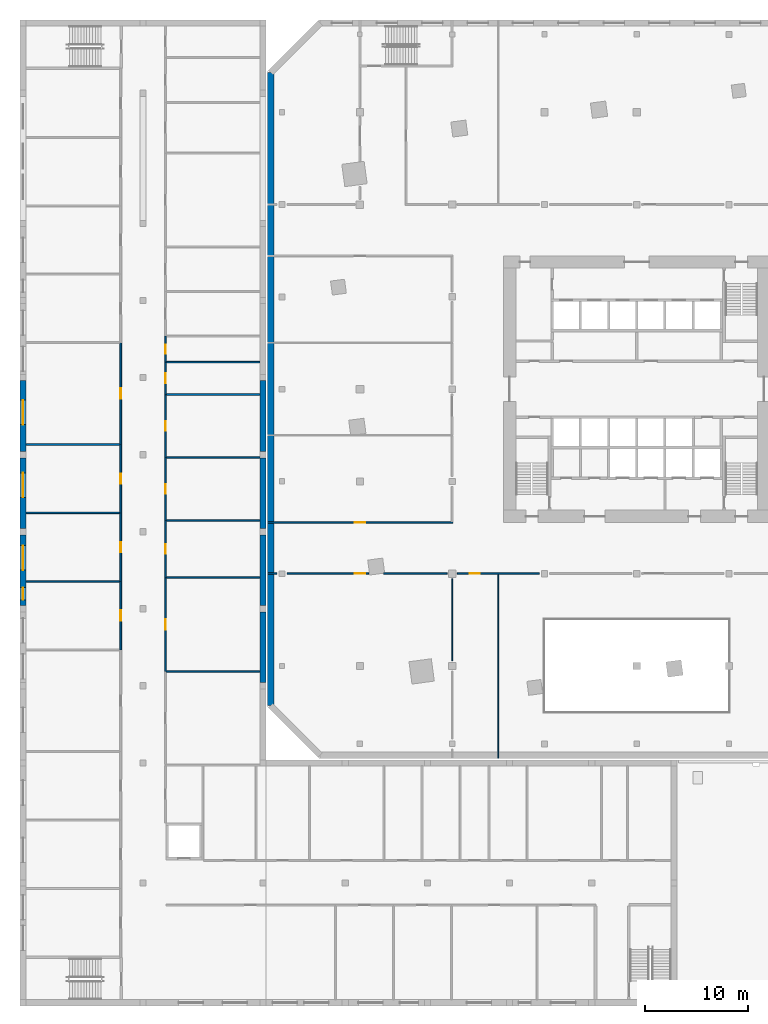
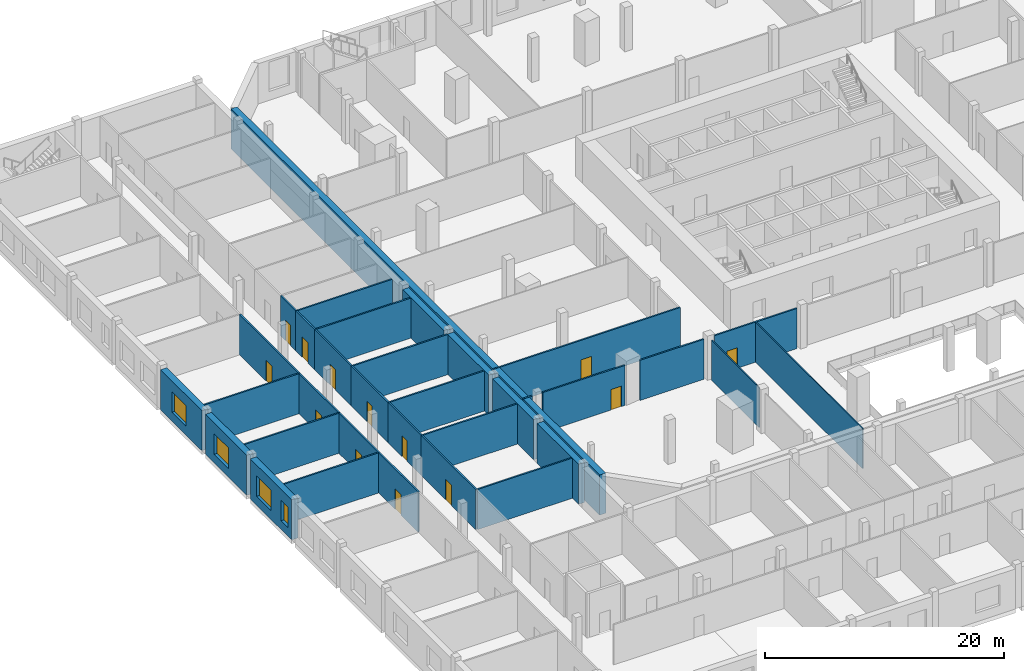
# One storey, part 6 of 20: 34 walls, 13 doors, 4 windows, 17 openings.
"""IFC4 building model written with IfcOpenShell, lengths in metres."""

from ifc_helpers import new_model, si_unit, direction, frame, frame_2d, origin, place, context, subcontext, project, spatial, rectangle, extrude, material, layer, layer_set, type_object, element, fill, save


model = new_model("IFC4")

# Units and contexts
model_context = context("Model", 3, precision=1e-05, world=origin(), true_north=direction((0.0, 1.0)))
body_context = subcontext(model_context, "Body", "Model", "MODEL_VIEW")
ifc_project = project(units=[si_unit("LENGTHUNIT", "METRE"), si_unit("AREAUNIT", "SQUARE_METRE"), si_unit("VOLUMEUNIT", "CUBIC_METRE"), si_unit("PLANEANGLEUNIT", "RADIAN"), si_unit("MASSUNIT", "GRAM", prefix="KILO")], contexts=[model_context])

# Site, building, storey
site_placement = place(None, origin())
site = spatial("IfcSite", under=ifc_project, at=site_placement, CompositionType="ELEMENT")
building_placement = place(site_placement, origin())
building = spatial("IfcBuilding", under=site, at=building_placement, Name="Dilmun Exchange Tower", CompositionType="ELEMENT")
storey_placement = place(building_placement, frame((0.0, 0.0, 9.0)))
storey = spatial("IfcBuildingStorey", under=building, at=storey_placement, Name="L02", CompositionType="ELEMENT", Elevation=9.0)

# Wall
ifc_material_1 = material(Name="Fire partition EI 60 150 gypsum")
ifc_layer_1 = layer(ifc_material_1, 0.14990234375)
ifc_layer_set_1 = layer_set([ifc_layer_1], Name="Fire partition EI 60 150 gypsum")
wall_type_1 = type_object("IfcWallType", Name="Fire partition EI 60 150 gypsum", PredefinedType="PARTITIONING", material=ifc_layer_set_1)
wall_1_placement = place(storey_placement, frame((-36.0, -18.0, 0.0), z_axis=(0.0, 0.0, 1.0), x_axis=(1.0, 0.0, 0.0)))
element("IfcWall", 1, at=wall_1_placement, inside=storey, type_object=wall_type_1, Name="L02 partition", PredefinedType="PARTITIONING", context=body_context, shape_type="SweptSolid", body=[
    extrude(rectangle(XDim=0.89990234375, YDim=0.14990234375, at=frame_2d((0.449951171875, 0.0))), origin(), (0.0, 0.0, 1.0), 4.10009765625),
])

# Wall, opening, door
wall_2_placement = place(storey_placement, frame((-34.10009765625, -18.0, 0.0), z_axis=(0.0, 0.0, 1.0), x_axis=(1.0, 0.0, 0.0)))
wall_2 = element("IfcWall", 2, at=wall_2_placement, inside=storey, type_object=wall_type_1, Name="L02 partition", PredefinedType="PARTITIONING", context=body_context, shape_type="SweptSolid", body=[
    extrude(rectangle(XDim=7.956787109375, YDim=0.14990234375, at=frame_2d((3.978515625, 0.0))), origin(), (0.0, 0.0, 1.0), 4.10009765625),
])
opening_1_placement = place(wall_2_placement, frame((6.60009765625, 0.0, 0.0)))
opening_1 = element("IfcOpeningElement", 3, at=opening_1_placement, cuts=wall_2, Name="Opening L02-D012", PredefinedType="OPENING", context=body_context, shape_type="SweptSolid", body=[
    extrude(rectangle(XDim=1.0, YDim=2.10009765625, at=frame_2d((0.5, 1.050048828125))), frame((0.0, 0.0849609375, 0.0), z_axis=(0.0, -1.0, 0.0), x_axis=(1.0, 0.0, 0.0)), (0.0, 0.0, 1.0), 0.169921875),
])
ifc_material_2 = material(Name="Fire door FD60 1000 x 2100")
door_type_1 = type_object("IfcDoorType", Name="Fire door FD60 1000 x 2100", OperationType="SINGLE_SWING_LEFT", PredefinedType="DOOR", material=ifc_material_2)
door_1_placement = place(opening_1_placement, origin())
door_1 = element("IfcDoor", 4, at=door_1_placement, inside=storey, type_object=door_type_1, Name="L02 door L02-D012", OperationType="SINGLE_SWING_RIGHT", OverallHeight=2.10009765625, OverallWidth=1.0, PredefinedType="DOOR", context=body_context, shape_type="SweptSolid", body=[
    extrude(rectangle(XDim=1.0, YDim=2.10009765625, at=frame_2d((0.5, 1.050048828125))), frame((0.0, 0.02490234375, 0.0), z_axis=(0.0, -1.0, 0.0), x_axis=(1.0, 0.0, 0.0)), (0.0, 0.0, 1.0), 0.050048828125),
])
fill(opening_1, door_1)

# Wall
wall_3_placement = place(storey_placement, frame((-24.680908203125, -18.0, 0.0), z_axis=(0.0, 0.0, 1.0), x_axis=(1.0, 0.0, 0.0)))
element("IfcWall", 5, at=wall_3_placement, inside=storey, type_object=wall_type_1, Name="L02 partition", PredefinedType="PARTITIONING", context=body_context, shape_type="SweptSolid", body=[
    extrude(rectangle(XDim=6.180908203125, YDim=0.14990234375, at=frame_2d((3.09033203125, 0.0))), origin(), (0.0, 0.0, 1.0), 4.10009765625),
])

# Wall, opening, door
wall_4_placement = place(storey_placement, frame((-17.5, -18.0, 0.0), z_axis=(0.0, 0.0, 1.0), x_axis=(1.0, 0.0, 0.0)))
wall_4 = element("IfcWall", 6, at=wall_4_placement, inside=storey, type_object=wall_type_1, Name="L02 partition", PredefinedType="PARTITIONING", context=body_context, shape_type="SweptSolid", body=[
    extrude(rectangle(XDim=8.0, YDim=0.14990234375, at=frame_2d((4.0, 0.0))), origin(), (0.0, 0.0, 1.0), 4.10009765625),
])
opening_2_placement = place(wall_4_placement, frame((1.199951171875, 0.0, 0.0)))
opening_2 = element("IfcOpeningElement", 7, at=opening_2_placement, cuts=wall_4, Name="Opening L02-D013", PredefinedType="OPENING", context=body_context, shape_type="SweptSolid", body=[
    extrude(rectangle(XDim=1.0, YDim=2.10009765625, at=frame_2d((0.5, 1.050048828125))), frame((0.0, 0.0849609375, 0.0), z_axis=(0.0, -1.0, 0.0), x_axis=(1.0, 0.0, 0.0)), (0.0, 0.0, 1.0), 0.169921875),
])
door_2_placement = place(opening_2_placement, origin())
door_2 = element("IfcDoor", 8, at=door_2_placement, inside=storey, type_object=door_type_1, Name="L02 door L02-D013", OperationType="SINGLE_SWING_LEFT", OverallHeight=2.10009765625, OverallWidth=1.0, PredefinedType="DOOR", context=body_context, shape_type="SweptSolid", body=[
    extrude(rectangle(XDim=1.0, YDim=2.10009765625, at=frame_2d((0.5, 1.050048828125))), frame((0.0, 0.02490234375, 0.0), z_axis=(0.0, -1.0, 0.0), x_axis=(1.0, 0.0, 0.0)), (0.0, 0.0, 1.0), 0.050048828125),
])
fill(opening_2, door_2)

wall_5_placement = place(storey_placement, frame((-36.0, -13.0, 0.0), z_axis=(0.0, 0.0, 1.0), x_axis=(1.0, 0.0, 0.0)))
wall_5 = element("IfcWall", 9, at=wall_5_placement, inside=storey, type_object=wall_type_1, Name="L02 partition", PredefinedType="PARTITIONING", context=body_context, shape_type="SweptSolid", body=[
    extrude(rectangle(XDim=18.074951171875, YDim=0.14990234375, at=frame_2d((9.03759765625, 0.0))), origin(), (0.0, 0.0, 1.0), 4.10009765625),
])
opening_3_placement = place(wall_5_placement, frame((8.5, 0.0, 0.0)))
opening_3 = element("IfcOpeningElement", 10, at=opening_3_placement, cuts=wall_5, Name="Opening L02-D017", PredefinedType="OPENING", context=body_context, shape_type="SweptSolid", body=[
    extrude(rectangle(XDim=1.0, YDim=2.10009765625, at=frame_2d((0.5, 1.050048828125))), frame((0.0, 0.0849609375, 0.0), z_axis=(0.0, -1.0, 0.0), x_axis=(1.0, 0.0, 0.0)), (0.0, 0.0, 1.0), 0.169921875),
])
door_3_placement = place(opening_3_placement, origin())
door_3 = element("IfcDoor", 11, at=door_3_placement, inside=storey, type_object=door_type_1, Name="L02 door L02-D017", OperationType="SINGLE_SWING_LEFT", OverallHeight=2.10009765625, OverallWidth=1.0, PredefinedType="DOOR", context=body_context, shape_type="SweptSolid", body=[
    extrude(rectangle(XDim=1.0, YDim=2.10009765625, at=frame_2d((0.5, 1.050048828125))), frame((0.0, 0.02490234375, 0.0), z_axis=(0.0, -1.0, 0.0), x_axis=(1.0, 0.0, 0.0)), (0.0, 0.0, 1.0), 0.050048828125),
])
fill(opening_3, door_3)

# Walls
ifc_material_3 = material(Name="Partition 100 gypsum")
ifc_layer_2 = layer(ifc_material_3, 0.10009765625)
ifc_layer_set_2 = layer_set([ifc_layer_2], Name="Partition 100 gypsum")
wall_type_2 = type_object("IfcWallType", Name="Partition 100 gypsum", PredefinedType="PARTITIONING", material=ifc_layer_set_2)
wall_6_placement = place(storey_placement, frame((-18.0, -26.5, 0.0), z_axis=(0.0, 0.0, 1.0), x_axis=(0.0, 1.0, 0.0)))
element("IfcWall", 12, at=wall_6_placement, inside=storey, type_object=wall_type_2, Name="L02 partition", PredefinedType="PARTITIONING", context=body_context, shape_type="SweptSolid", body=[
    extrude(rectangle(XDim=8.0, YDim=0.10009765625, at=frame_2d((4.0, 0.0))), origin(), (0.0, 0.0, 1.0), 4.10009765625),
])
wall_7_placement = place(storey_placement, frame((-13.5, -36.0, 0.0), z_axis=(0.0, 0.0, 1.0), x_axis=(0.0, 1.0, 0.0)))
element("IfcWall", 13, at=wall_7_placement, inside=storey, type_object=wall_type_2, Name="L02 partition", PredefinedType="PARTITIONING", context=body_context, shape_type="SweptSolid", body=[
    extrude(rectangle(XDim=17.925048828125, YDim=0.10009765625, at=frame_2d((8.96240234375, 0.0))), origin(), (0.0, 0.0, 1.0), 4.10009765625),
])
ifc_material_4 = material(Name="Precast concrete C50/60", Category="concrete")
ifc_layer_3 = layer(ifc_material_4, 0.60009765625)
ifc_layer_set_3 = layer_set([ifc_layer_3], Name="Precast concrete C50/60")
wall_type_3 = type_object("IfcWallType", Name="Precast stone-clad wall 600", PredefinedType="STANDARD", material=ifc_layer_set_3)
wall_8_placement = place(storey_placement, frame((-35.699951171875, 30.875732421875, 0.0), z_axis=(0.0, 0.0, 1.0), x_axis=(0.0, -1.0, 0.0)))
element("IfcWall", 14, at=wall_8_placement, inside=storey, type_object=wall_type_3, Name="Facade wall L02-06-0", PredefinedType="STANDARD", context=body_context, shape_type="SweptSolid", body=[
    extrude(rectangle(XDim=61.75146484375, YDim=0.60009765625, at=frame_2d((30.875732421875, 0.0))), origin(), (0.0, 0.0, 1.0), 4.10009765625),
])

# Wall, openings, windows
ifc_material_5 = material(Name="Precast concrete C40/50", Category="concrete")
ifc_layer_4 = layer(ifc_material_5, 0.60009765625)
ifc_layer_set_4 = layer_set([ifc_layer_4], Name="Precast concrete C40/50")
wall_type_4 = type_object("IfcWallType", Name="School external wall 600 precast C40/50", PredefinedType="STANDARD", material=ifc_layer_set_4)
wall_9_placement = place(storey_placement, frame((-59.85009765625, -21.121337890625, 0.0), z_axis=(0.0, 0.0, 1.0), x_axis=(0.0, 1.0, 0.0)))
wall_9 = element("IfcWall", 15, at=wall_9_placement, inside=storey, type_object=wall_type_4, Name="School external wall", PredefinedType="STANDARD", context=body_context, shape_type="SweptSolid", body=[
    extrude(rectangle(XDim=6.914306640625, YDim=0.60009765625, at=frame_2d((3.45703125, 0.0))), origin(), (0.0, 0.0, 1.0), 4.10009765625),
])
opening_4_placement = place(wall_9_placement, frame((0.564208984375, 0.0, 0.89990234375)))
opening_4 = element("IfcOpeningElement", 16, at=opening_4_placement, cuts=wall_9, Name="Opening SCH-W12", PredefinedType="OPENING", context=body_context, shape_type="SweptSolid", body=[
    extrude(rectangle(XDim=1.199951171875, YDim=2.10009765625, at=frame_2d((0.60009765625, 1.050048828125))), frame((0.0, 0.31005859375, 0.0), z_axis=(0.0, -1.0, 0.0), x_axis=(1.0, 0.0, 0.0)), (0.0, 0.0, 1.0), 0.6201171875),
])
opening_5_placement = place(wall_9_placement, frame((3.46630859375, 0.0, 0.89990234375)))
opening_5 = element("IfcOpeningElement", 17, at=opening_5_placement, cuts=wall_9, Name="Opening SCH-W24", PredefinedType="OPENING", context=body_context, shape_type="SweptSolid", body=[
    extrude(rectangle(XDim=2.39990234375, YDim=2.10009765625, at=frame_2d((1.199951171875, 1.050048828125))), frame((0.0, 0.31005859375, 0.0), z_axis=(0.0, -1.0, 0.0), x_axis=(1.0, 0.0, 0.0)), (0.0, 0.0, 1.0), 0.6201171875),
])
ifc_material_6 = material(Name="Clear low-emissivity glass in aluminium frame", Category="aluminium")
window_type_1 = type_object("IfcWindowType", Name="School window 1200 x 2100", PartitioningType="DOUBLE_PANEL_VERTICAL", PredefinedType="WINDOW", material=ifc_material_6)
window_1_placement = place(opening_4_placement, origin())
window_1 = element("IfcWindow", 18, at=window_1_placement, inside=storey, type_object=window_type_1, Name="School window", OverallHeight=2.10009765625, OverallWidth=1.199951171875, PartitioningType="SINGLE_PANEL", PredefinedType="WINDOW", context=body_context, shape_type="SweptSolid", body=[
    extrude(rectangle(XDim=1.199951171875, YDim=2.10009765625, at=frame_2d((0.60009765625, 1.050048828125))), frame((0.0, 0.030029296875, 0.0), z_axis=(0.0, -1.0, 0.0), x_axis=(1.0, 0.0, 0.0)), (0.0, 0.0, 1.0), 0.06005859375),
])
fill(opening_4, window_1)
window_type_2 = type_object("IfcWindowType", Name="School window 2400 x 2100", PartitioningType="DOUBLE_PANEL_VERTICAL", PredefinedType="WINDOW", material=ifc_material_6)
window_2_placement = place(opening_5_placement, origin())
window_2 = element("IfcWindow", 19, at=window_2_placement, inside=storey, type_object=window_type_2, Name="School window", OverallHeight=2.10009765625, OverallWidth=2.39990234375, PartitioningType="SINGLE_PANEL", PredefinedType="WINDOW", context=body_context, shape_type="SweptSolid", body=[
    extrude(rectangle(XDim=2.39990234375, YDim=2.10009765625, at=frame_2d((1.199951171875, 1.050048828125))), frame((0.0, 0.030029296875, 0.0), z_axis=(0.0, -1.0, 0.0), x_axis=(1.0, 0.0, 0.0)), (0.0, 0.0, 1.0), 0.06005859375),
])
fill(opening_5, window_2)

# Wall, opening, window
wall_10_placement = place(storey_placement, frame((-59.85009765625, -13.607177734375, 0.0), z_axis=(0.0, 0.0, 1.0), x_axis=(0.0, 1.0, 0.0)))
wall_10 = element("IfcWall", 20, at=wall_10_placement, inside=storey, type_object=wall_type_4, Name="School external wall", PredefinedType="STANDARD", context=body_context, shape_type="SweptSolid", body=[
    extrude(rectangle(XDim=6.914306640625, YDim=0.60009765625, at=frame_2d((3.45703125, 0.0))), origin(), (0.0, 0.0, 1.0), 4.10009765625),
])
opening_6_placement = place(wall_10_placement, frame((3.045654296875, 0.0, 0.89990234375)))
opening_6 = element("IfcOpeningElement", 21, at=opening_6_placement, cuts=wall_10, Name="Opening SCH-W24", PredefinedType="OPENING", context=body_context, shape_type="SweptSolid", body=[
    extrude(rectangle(XDim=2.39990234375, YDim=2.10009765625, at=frame_2d((1.199951171875, 1.050048828125))), frame((0.0, 0.31005859375, 0.0), z_axis=(0.0, -1.0, 0.0), x_axis=(1.0, 0.0, 0.0)), (0.0, 0.0, 1.0), 0.6201171875),
])
window_3_placement = place(opening_6_placement, origin())
window_3 = element("IfcWindow", 22, at=window_3_placement, inside=storey, type_object=window_type_2, Name="School window", OverallHeight=2.10009765625, OverallWidth=2.39990234375, PartitioningType="SINGLE_PANEL", PredefinedType="WINDOW", context=body_context, shape_type="SweptSolid", body=[
    extrude(rectangle(XDim=2.39990234375, YDim=2.10009765625, at=frame_2d((1.199951171875, 1.050048828125))), frame((0.0, 0.030029296875, 0.0), z_axis=(0.0, -1.0, 0.0), x_axis=(1.0, 0.0, 0.0)), (0.0, 0.0, 1.0), 0.06005859375),
])
fill(opening_6, window_3)

wall_11_placement = place(storey_placement, frame((-59.85009765625, -6.093017578125, 0.0), z_axis=(0.0, 0.0, 1.0), x_axis=(0.0, 1.0, 0.0)))
wall_11 = element("IfcWall", 23, at=wall_11_placement, inside=storey, type_object=wall_type_4, Name="School external wall", PredefinedType="STANDARD", context=body_context, shape_type="SweptSolid", body=[
    extrude(rectangle(XDim=6.914306640625, YDim=0.60009765625, at=frame_2d((3.45703125, 0.0))), origin(), (0.0, 0.0, 1.0), 4.10009765625),
])
opening_7_placement = place(wall_11_placement, frame((2.625, 0.0, 0.89990234375)))
opening_7 = element("IfcOpeningElement", 24, at=opening_7_placement, cuts=wall_11, Name="Opening SCH-W24", PredefinedType="OPENING", context=body_context, shape_type="SweptSolid", body=[
    extrude(rectangle(XDim=2.39990234375, YDim=2.10009765625, at=frame_2d((1.199951171875, 1.050048828125))), frame((0.0, 0.31005859375, 0.0), z_axis=(0.0, -1.0, 0.0), x_axis=(1.0, 0.0, 0.0)), (0.0, 0.0, 1.0), 0.6201171875),
])
window_4_placement = place(opening_7_placement, origin())
window_4 = element("IfcWindow", 25, at=window_4_placement, inside=storey, type_object=window_type_2, Name="School window", OverallHeight=2.10009765625, OverallWidth=2.39990234375, PartitioningType="SINGLE_PANEL", PredefinedType="WINDOW", context=body_context, shape_type="SweptSolid", body=[
    extrude(rectangle(XDim=2.39990234375, YDim=2.10009765625, at=frame_2d((1.199951171875, 1.050048828125))), frame((0.0, 0.030029296875, 0.0), z_axis=(0.0, -1.0, 0.0), x_axis=(1.0, 0.0, 0.0)), (0.0, 0.0, 1.0), 0.06005859375),
])
fill(opening_7, window_4)

# Walls
for number, where, z_axis, x_axis, name in (
    (26, (-36.449951171875, 0.8212890625, 0.0), (0.0, 0.0, 1.0), (0.0, -1.0, 0.0), "School external wall"),
    (27, (-36.449951171875, -6.69287109375, 0.0), (0.0, 0.0, 1.0), (0.0, -1.0, 0.0), "School external wall"),
    (28, (-36.449951171875, -14.20703125, 0.0), (0.0, 0.0, 1.0), (0.0, -1.0, 0.0), "School external wall"),
    (29, (-36.449951171875, -21.721435546875, 0.0), (0.0, 0.0, 1.0), (0.0, -1.0, 0.0), "School external wall"),
):
    element("IfcWall", number, at=place(storey_placement, frame(where, z_axis=z_axis, x_axis=x_axis)), inside=storey, type_object=wall_type_4, Name=name, PredefinedType="STANDARD", context=body_context, shape_type="SweptSolid", body=[
        extrude(rectangle(XDim=6.914306640625, YDim=0.60009765625, at=frame_2d((3.45703125, 0.0))), origin(), (0.0, 0.0, 1.0), 4.10009765625),
    ])
ifc_material_7 = material(Name="Gypsum board on steel studs", Category="steel")
ifc_layer_5 = layer(ifc_material_7, 0.14990234375)
ifc_layer_set_5 = layer_set([ifc_layer_5], Name="Gypsum board on steel studs")
wall_type_5 = type_object("IfcWallType", Name="School partition 150 gypsum board", PredefinedType="PARTITIONING", material=ifc_layer_set_5)
for number, where, z_axis, x_axis, name in (
    (30, (-59.550048828125, -18.748046875, 0.0), (0.0, 0.0, 1.0), (1.0, 0.0, 0.0), "School partition"),
    (31, (-59.550048828125, -12.074951171875, 0.0), (0.0, 0.0, 1.0), (1.0, 0.0, 0.0), "School partition"),
    (32, (-59.550048828125, -5.40185546875, 0.0), (0.0, 0.0, 1.0), (1.0, 0.0, 0.0), "School partition"),
):
    element("IfcWall", number, at=place(storey_placement, frame(where, z_axis=z_axis, x_axis=x_axis)), inside=storey, type_object=wall_type_5, Name=name, PredefinedType="PARTITIONING", context=body_context, shape_type="SweptSolid", body=[
        extrude(rectangle(XDim=9.150146484375, YDim=0.14990234375, at=frame_2d((4.5751953125, 0.0))), origin(), (0.0, 0.0, 1.0), 4.10009765625),
    ])

# Wall, opening, door
wall_12_placement = place(storey_placement, frame((-50.324951171875, -25.421142578125, 0.0), z_axis=(0.0, 0.0, 1.0), x_axis=(0.0, 1.0, 0.0)))
wall_12 = element("IfcWall", 33, at=wall_12_placement, inside=storey, type_object=wall_type_5, Name="School corridor wall", PredefinedType="PARTITIONING", context=body_context, shape_type="SweptSolid", body=[
    extrude(rectangle(XDim=6.673095703125, YDim=0.14990234375, at=frame_2d((3.33642578125, 0.0))), origin(), (0.0, 0.0, 1.0), 4.10009765625),
])
opening_8_placement = place(wall_12_placement, frame((2.83642578125, 0.0, 0.0)))
opening_8 = element("IfcOpeningElement", 34, at=opening_8_placement, cuts=wall_12, Name="Opening SCH-D1", PredefinedType="OPENING", context=body_context, shape_type="SweptSolid", body=[
    extrude(rectangle(XDim=1.0, YDim=2.10009765625, at=frame_2d((0.5, 1.050048828125))), frame((0.0, 0.0849609375, 0.0), z_axis=(0.0, -1.0, 0.0), x_axis=(1.0, 0.0, 0.0)), (0.0, 0.0, 1.0), 0.169921875),
])
ifc_material_8 = material(Name="Timber door leaf in steel frame", Category="steel")
door_type_2 = type_object("IfcDoorType", Name="School door FD30S 1000 x 2100", OperationType="NOTDEFINED", PredefinedType="DOOR", material=ifc_material_8)
door_4_placement = place(opening_8_placement, origin())
door_4 = element("IfcDoor", 35, at=door_4_placement, inside=storey, type_object=door_type_2, Name="Classroom door", OperationType="SINGLE_SWING_RIGHT", OverallHeight=2.10009765625, OverallWidth=1.0, PredefinedType="DOOR", context=body_context, shape_type="SweptSolid", body=[
    extrude(rectangle(XDim=1.0, YDim=2.10009765625, at=frame_2d((0.5, 1.050048828125))), frame((0.0, 0.02490234375, 0.0), z_axis=(0.0, -1.0, 0.0), x_axis=(1.0, 0.0, 0.0)), (0.0, 0.0, 1.0), 0.050048828125),
])
fill(opening_8, door_4)

wall_13_placement = place(storey_placement, frame((-50.324951171875, -18.748046875, 0.0), z_axis=(0.0, 0.0, 1.0), x_axis=(0.0, 1.0, 0.0)))
wall_13 = element("IfcWall", 36, at=wall_13_placement, inside=storey, type_object=wall_type_5, Name="School corridor wall", PredefinedType="PARTITIONING", context=body_context, shape_type="SweptSolid", body=[
    extrude(rectangle(XDim=6.673095703125, YDim=0.14990234375, at=frame_2d((3.33642578125, 0.0))), origin(), (0.0, 0.0, 1.0), 4.10009765625),
])
opening_9_placement = place(wall_13_placement, frame((2.83642578125, 0.0, 0.0)))
opening_9 = element("IfcOpeningElement", 37, at=opening_9_placement, cuts=wall_13, Name="Opening SCH-D1", PredefinedType="OPENING", context=body_context, shape_type="SweptSolid", body=[
    extrude(rectangle(XDim=1.0, YDim=2.10009765625, at=frame_2d((0.5, 1.050048828125))), frame((0.0, 0.0849609375, 0.0), z_axis=(0.0, -1.0, 0.0), x_axis=(1.0, 0.0, 0.0)), (0.0, 0.0, 1.0), 0.169921875),
])
door_5_placement = place(opening_9_placement, origin())
door_5 = element("IfcDoor", 38, at=door_5_placement, inside=storey, type_object=door_type_2, Name="Classroom door", OperationType="SINGLE_SWING_LEFT", OverallHeight=2.10009765625, OverallWidth=1.0, PredefinedType="DOOR", context=body_context, shape_type="SweptSolid", body=[
    extrude(rectangle(XDim=1.0, YDim=2.10009765625, at=frame_2d((0.5, 1.050048828125))), frame((0.0, 0.02490234375, 0.0), z_axis=(0.0, -1.0, 0.0), x_axis=(1.0, 0.0, 0.0)), (0.0, 0.0, 1.0), 0.050048828125),
])
fill(opening_9, door_5)

wall_14_placement = place(storey_placement, frame((-50.324951171875, -12.074951171875, 0.0), z_axis=(0.0, 0.0, 1.0), x_axis=(0.0, 1.0, 0.0)))
wall_14 = element("IfcWall", 39, at=wall_14_placement, inside=storey, type_object=wall_type_5, Name="School corridor wall", PredefinedType="PARTITIONING", context=body_context, shape_type="SweptSolid", body=[
    extrude(rectangle(XDim=6.673095703125, YDim=0.14990234375, at=frame_2d((3.33642578125, 0.0))), origin(), (0.0, 0.0, 1.0), 4.10009765625),
])
opening_10_placement = place(wall_14_placement, frame((2.83642578125, 0.0, 0.0)))
opening_10 = element("IfcOpeningElement", 40, at=opening_10_placement, cuts=wall_14, Name="Opening SCH-D1", PredefinedType="OPENING", context=body_context, shape_type="SweptSolid", body=[
    extrude(rectangle(XDim=1.0, YDim=2.10009765625, at=frame_2d((0.5, 1.050048828125))), frame((0.0, 0.0849609375, 0.0), z_axis=(0.0, -1.0, 0.0), x_axis=(1.0, 0.0, 0.0)), (0.0, 0.0, 1.0), 0.169921875),
])
door_6_placement = place(opening_10_placement, origin())
door_6 = element("IfcDoor", 41, at=door_6_placement, inside=storey, type_object=door_type_2, Name="Mathematics classroom door", OperationType="SINGLE_SWING_RIGHT", OverallHeight=2.10009765625, OverallWidth=1.0, PredefinedType="DOOR", context=body_context, shape_type="SweptSolid", body=[
    extrude(rectangle(XDim=1.0, YDim=2.10009765625, at=frame_2d((0.5, 1.050048828125))), frame((0.0, 0.02490234375, 0.0), z_axis=(0.0, -1.0, 0.0), x_axis=(1.0, 0.0, 0.0)), (0.0, 0.0, 1.0), 0.050048828125),
])
fill(opening_10, door_6)

wall_15_placement = place(storey_placement, frame((-50.324951171875, -5.40185546875, 0.0), z_axis=(0.0, 0.0, 1.0), x_axis=(0.0, 1.0, 0.0)))
wall_15 = element("IfcWall", 42, at=wall_15_placement, inside=storey, type_object=wall_type_5, Name="School corridor wall", PredefinedType="PARTITIONING", context=body_context, shape_type="SweptSolid", body=[
    extrude(rectangle(XDim=9.9345703125, YDim=0.14990234375, at=frame_2d((4.96728515625, 0.0))), origin(), (0.0, 0.0, 1.0), 4.10009765625),
])
opening_11_placement = place(wall_15_placement, frame((4.46728515625, 0.0, 0.0)))
opening_11 = element("IfcOpeningElement", 43, at=opening_11_placement, cuts=wall_15, Name="Opening SCH-D1", PredefinedType="OPENING", context=body_context, shape_type="SweptSolid", body=[
    extrude(rectangle(XDim=1.0, YDim=2.10009765625, at=frame_2d((0.5, 1.050048828125))), frame((0.0, 0.0849609375, 0.0), z_axis=(0.0, -1.0, 0.0), x_axis=(1.0, 0.0, 0.0)), (0.0, 0.0, 1.0), 0.169921875),
])
door_7_placement = place(opening_11_placement, origin())
door_7 = element("IfcDoor", 44, at=door_7_placement, inside=storey, type_object=door_type_2, Name="Chemistry laboratory door", OperationType="SINGLE_SWING_LEFT", OverallHeight=2.10009765625, OverallWidth=1.0, PredefinedType="DOOR", context=body_context, shape_type="SweptSolid", body=[
    extrude(rectangle(XDim=1.0, YDim=2.10009765625, at=frame_2d((0.5, 1.050048828125))), frame((0.0, 0.02490234375, 0.0), z_axis=(0.0, -1.0, 0.0), x_axis=(1.0, 0.0, 0.0)), (0.0, 0.0, 1.0), 0.050048828125),
])
fill(opening_11, door_7)

# Walls
for number, where, z_axis, x_axis, name in (
    (45, (-45.89990234375, -27.52490234375, 0.0), (0.0, 0.0, 1.0), (1.0, 0.0, 0.0), "School partition"),
    (46, (-45.89990234375, -18.375, 0.0), (0.0, 0.0, 1.0), (1.0, 0.0, 0.0), "School partition"),
    (47, (-45.89990234375, -12.824951171875, 0.0), (0.0, 0.0, 1.0), (1.0, 0.0, 0.0), "School partition"),
    (48, (-45.89990234375, -6.675048828125, 0.0), (0.0, 0.0, 1.0), (1.0, 0.0, 0.0), "School partition"),
    (49, (-45.89990234375, -0.52490234375, 0.0), (0.0, 0.0, 1.0), (1.0, 0.0, 0.0), "School partition"),
    (50, (-45.89990234375, 2.625, 0.0), (0.0, 0.0, 1.0), (1.0, 0.0, 0.0), "School partition"),
):
    element("IfcWall", number, at=place(storey_placement, frame(where, z_axis=z_axis, x_axis=x_axis)), inside=storey, type_object=wall_type_5, Name=name, PredefinedType="PARTITIONING", context=body_context, shape_type="SweptSolid", body=[
        extrude(rectangle(XDim=9.14990234375, YDim=0.14990234375, at=frame_2d((4.574951171875, 0.0))), origin(), (0.0, 0.0, 1.0), 4.10009765625),
    ])

# Wall, opening, door
wall_16_placement = place(storey_placement, frame((-45.97509765625, -27.52490234375, 0.0), z_axis=(0.0, 0.0, 1.0), x_axis=(0.0, 1.0, 0.0)))
wall_16 = element("IfcWall", 51, at=wall_16_placement, inside=storey, type_object=wall_type_5, Name="School corridor wall", PredefinedType="PARTITIONING", context=body_context, shape_type="SweptSolid", body=[
    extrude(rectangle(XDim=9.14990234375, YDim=0.14990234375, at=frame_2d((4.574951171875, 0.0))), origin(), (0.0, 0.0, 1.0), 4.10009765625),
])
opening_12_placement = place(wall_16_placement, frame((4.074951171875, 0.0, 0.0)))
opening_12 = element("IfcOpeningElement", 52, at=opening_12_placement, cuts=wall_16, Name="Opening SCH-D1", PredefinedType="OPENING", context=body_context, shape_type="SweptSolid", body=[
    extrude(rectangle(XDim=1.0, YDim=2.10009765625, at=frame_2d((0.5, 1.050048828125))), frame((0.0, 0.0849609375, 0.0), z_axis=(0.0, -1.0, 0.0), x_axis=(1.0, 0.0, 0.0)), (0.0, 0.0, 1.0), 0.169921875),
])
door_8_placement = place(opening_12_placement, origin())
door_8 = element("IfcDoor", 53, at=door_8_placement, inside=storey, type_object=door_type_2, Name="Prayer room (women) door", OperationType="SINGLE_SWING_RIGHT", OverallHeight=2.10009765625, OverallWidth=1.0, PredefinedType="DOOR", context=body_context, shape_type="SweptSolid", body=[
    extrude(rectangle(XDim=1.0, YDim=2.10009765625, at=frame_2d((0.5, 1.050048828125))), frame((0.0, 0.02490234375, 0.0), z_axis=(0.0, -1.0, 0.0), x_axis=(1.0, 0.0, 0.0)), (0.0, 0.0, 1.0), 0.050048828125),
])
fill(opening_12, door_8)

wall_17_placement = place(storey_placement, frame((-45.97509765625, -18.375, 0.0), z_axis=(0.0, 0.0, 1.0), x_axis=(0.0, 1.0, 0.0)))
wall_17 = element("IfcWall", 54, at=wall_17_placement, inside=storey, type_object=wall_type_5, Name="School corridor wall", PredefinedType="PARTITIONING", context=body_context, shape_type="SweptSolid", body=[
    extrude(rectangle(XDim=5.550048828125, YDim=0.14990234375, at=frame_2d((2.77490234375, 0.0))), origin(), (0.0, 0.0, 1.0), 4.10009765625),
])
opening_13_placement = place(wall_17_placement, frame((2.324951171875, 0.0, 0.0)))
opening_13 = element("IfcOpeningElement", 55, at=opening_13_placement, cuts=wall_17, Name="Opening SCH-D2", PredefinedType="OPENING", context=body_context, shape_type="SweptSolid", body=[
    extrude(rectangle(XDim=0.89990234375, YDim=2.10009765625, at=frame_2d((0.449951171875, 1.050048828125))), frame((0.0, 0.0849609375, 0.0), z_axis=(0.0, -1.0, 0.0), x_axis=(1.0, 0.0, 0.0)), (0.0, 0.0, 1.0), 0.169921875),
])
door_type_3 = type_object("IfcDoorType", Name="School door FD30S 900 x 2100", OperationType="NOTDEFINED", PredefinedType="DOOR", material=ifc_material_8)
door_9_placement = place(opening_13_placement, origin())
door_9 = element("IfcDoor", 56, at=door_9_placement, inside=storey, type_object=door_type_3, Name="Ablution room door", OperationType="SINGLE_SWING_LEFT", OverallHeight=2.10009765625, OverallWidth=0.89990234375, PredefinedType="DOOR", context=body_context, shape_type="SweptSolid", body=[
    extrude(rectangle(XDim=0.89990234375, YDim=2.10009765625, at=frame_2d((0.449951171875, 1.050048828125))), frame((0.0, 0.02490234375, 0.0), z_axis=(0.0, -1.0, 0.0), x_axis=(1.0, 0.0, 0.0)), (0.0, 0.0, 1.0), 0.050048828125),
])
fill(opening_13, door_9)

wall_18_placement = place(storey_placement, frame((-45.97509765625, -12.824951171875, 0.0), z_axis=(0.0, 0.0, 1.0), x_axis=(0.0, 1.0, 0.0)))
wall_18 = element("IfcWall", 57, at=wall_18_placement, inside=storey, type_object=wall_type_5, Name="School corridor wall", PredefinedType="PARTITIONING", context=body_context, shape_type="SweptSolid", body=[
    extrude(rectangle(XDim=6.14990234375, YDim=0.14990234375, at=frame_2d((3.074951171875, 0.0))), origin(), (0.0, 0.0, 1.0), 4.10009765625),
])
opening_14_placement = place(wall_18_placement, frame((2.625, 0.0, 0.0)))
opening_14 = element("IfcOpeningElement", 58, at=opening_14_placement, cuts=wall_18, Name="Opening SCH-D2", PredefinedType="OPENING", context=body_context, shape_type="SweptSolid", body=[
    extrude(rectangle(XDim=0.89990234375, YDim=2.10009765625, at=frame_2d((0.449951171875, 1.050048828125))), frame((0.0, 0.0849609375, 0.0), z_axis=(0.0, -1.0, 0.0), x_axis=(1.0, 0.0, 0.0)), (0.0, 0.0, 1.0), 0.169921875),
])
door_10_placement = place(opening_14_placement, origin())
door_10 = element("IfcDoor", 59, at=door_10_placement, inside=storey, type_object=door_type_3, Name="Boys WC door", OperationType="SINGLE_SWING_RIGHT", OverallHeight=2.10009765625, OverallWidth=0.89990234375, PredefinedType="DOOR", context=body_context, shape_type="SweptSolid", body=[
    extrude(rectangle(XDim=0.89990234375, YDim=2.10009765625, at=frame_2d((0.449951171875, 1.050048828125))), frame((0.0, 0.02490234375, 0.0), z_axis=(0.0, -1.0, 0.0), x_axis=(1.0, 0.0, 0.0)), (0.0, 0.0, 1.0), 0.050048828125),
])
fill(opening_14, door_10)

wall_19_placement = place(storey_placement, frame((-45.97509765625, -6.675048828125, 0.0), z_axis=(0.0, 0.0, 1.0), x_axis=(0.0, 1.0, 0.0)))
wall_19 = element("IfcWall", 60, at=wall_19_placement, inside=storey, type_object=wall_type_5, Name="School corridor wall", PredefinedType="PARTITIONING", context=body_context, shape_type="SweptSolid", body=[
    extrude(rectangle(XDim=6.150146484375, YDim=0.14990234375, at=frame_2d((3.0751953125, 0.0))), origin(), (0.0, 0.0, 1.0), 4.10009765625),
])
opening_15_placement = place(wall_19_placement, frame((2.625, 0.0, 0.0)))
opening_15 = element("IfcOpeningElement", 61, at=opening_15_placement, cuts=wall_19, Name="Opening SCH-D2", PredefinedType="OPENING", context=body_context, shape_type="SweptSolid", body=[
    extrude(rectangle(XDim=0.89990234375, YDim=2.10009765625, at=frame_2d((0.449951171875, 1.050048828125))), frame((0.0, 0.0849609375, 0.0), z_axis=(0.0, -1.0, 0.0), x_axis=(1.0, 0.0, 0.0)), (0.0, 0.0, 1.0), 0.169921875),
])
door_11_placement = place(opening_15_placement, origin())
door_11 = element("IfcDoor", 62, at=door_11_placement, inside=storey, type_object=door_type_3, Name="Girls WC door", OperationType="SINGLE_SWING_LEFT", OverallHeight=2.10009765625, OverallWidth=0.89990234375, PredefinedType="DOOR", context=body_context, shape_type="SweptSolid", body=[
    extrude(rectangle(XDim=0.89990234375, YDim=2.10009765625, at=frame_2d((0.449951171875, 1.050048828125))), frame((0.0, 0.02490234375, 0.0), z_axis=(0.0, -1.0, 0.0), x_axis=(1.0, 0.0, 0.0)), (0.0, 0.0, 1.0), 0.050048828125),
])
fill(opening_15, door_11)

wall_20_placement = place(storey_placement, frame((-45.97509765625, -0.52490234375, 0.0), z_axis=(0.0, 0.0, 1.0), x_axis=(0.0, 1.0, 0.0)))
wall_20 = element("IfcWall", 63, at=wall_20_placement, inside=storey, type_object=wall_type_5, Name="School corridor wall", PredefinedType="PARTITIONING", context=body_context, shape_type="SweptSolid", body=[
    extrude(rectangle(XDim=3.14990234375, YDim=0.14990234375, at=frame_2d((1.574951171875, 0.0))), origin(), (0.0, 0.0, 1.0), 4.10009765625),
])
opening_16_placement = place(wall_20_placement, frame((1.074951171875, 0.0, 0.0)))
opening_16 = element("IfcOpeningElement", 64, at=opening_16_placement, cuts=wall_20, Name="Opening SCH-D1", PredefinedType="OPENING", context=body_context, shape_type="SweptSolid", body=[
    extrude(rectangle(XDim=1.0, YDim=2.10009765625, at=frame_2d((0.5, 1.050048828125))), frame((0.0, 0.0849609375, 0.0), z_axis=(0.0, -1.0, 0.0), x_axis=(1.0, 0.0, 0.0)), (0.0, 0.0, 1.0), 0.169921875),
])
door_12_placement = place(opening_16_placement, origin())
door_12 = element("IfcDoor", 65, at=door_12_placement, inside=storey, type_object=door_type_2, Name="Accessible WC door", OperationType="SINGLE_SWING_RIGHT", OverallHeight=2.10009765625, OverallWidth=1.0, PredefinedType="DOOR", context=body_context, shape_type="SweptSolid", body=[
    extrude(rectangle(XDim=1.0, YDim=2.10009765625, at=frame_2d((0.5, 1.050048828125))), frame((0.0, 0.02490234375, 0.0), z_axis=(0.0, -1.0, 0.0), x_axis=(1.0, 0.0, 0.0)), (0.0, 0.0, 1.0), 0.050048828125),
])
fill(opening_16, door_12)

wall_21_placement = place(storey_placement, frame((-45.97509765625, 2.625, 0.0), z_axis=(0.0, 0.0, 1.0), x_axis=(0.0, 1.0, 0.0)))
wall_21 = element("IfcWall", 66, at=wall_21_placement, inside=storey, type_object=wall_type_5, Name="School corridor wall", PredefinedType="PARTITIONING", context=body_context, shape_type="SweptSolid", body=[
    extrude(rectangle(XDim=2.550048828125, YDim=0.14990234375, at=frame_2d((1.27490234375, 0.0))), origin(), (0.0, 0.0, 1.0), 4.10009765625),
])
opening_17_placement = place(wall_21_placement, frame((0.824951171875, 0.0, 0.0)))
opening_17 = element("IfcOpeningElement", 67, at=opening_17_placement, cuts=wall_21, Name="Opening SCH-D2", PredefinedType="OPENING", context=body_context, shape_type="SweptSolid", body=[
    extrude(rectangle(XDim=0.89990234375, YDim=2.10009765625, at=frame_2d((0.449951171875, 1.050048828125))), frame((0.0, 0.0849609375, 0.0), z_axis=(0.0, -1.0, 0.0), x_axis=(1.0, 0.0, 0.0)), (0.0, 0.0, 1.0), 0.169921875),
])
door_13_placement = place(opening_17_placement, origin())
door_13 = element("IfcDoor", 68, at=door_13_placement, inside=storey, type_object=door_type_3, Name="Cleaner's store door", OperationType="SINGLE_SWING_LEFT", OverallHeight=2.10009765625, OverallWidth=0.89990234375, PredefinedType="DOOR", context=body_context, shape_type="SweptSolid", body=[
    extrude(rectangle(XDim=0.89990234375, YDim=2.10009765625, at=frame_2d((0.449951171875, 1.050048828125))), frame((0.0, 0.02490234375, 0.0), z_axis=(0.0, -1.0, 0.0), x_axis=(1.0, 0.0, 0.0)), (0.0, 0.0, 1.0), 0.050048828125),
])
fill(opening_17, door_13)

save(model, "model.ifc")
